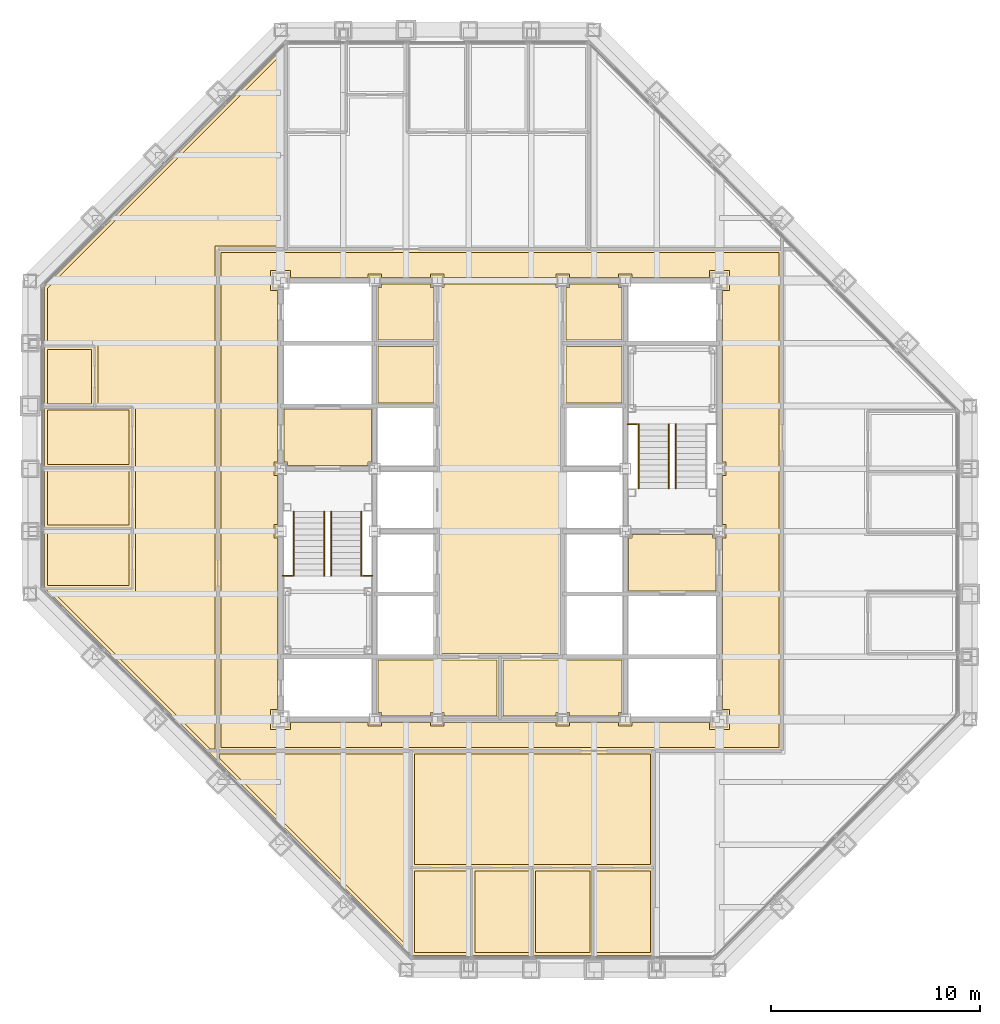
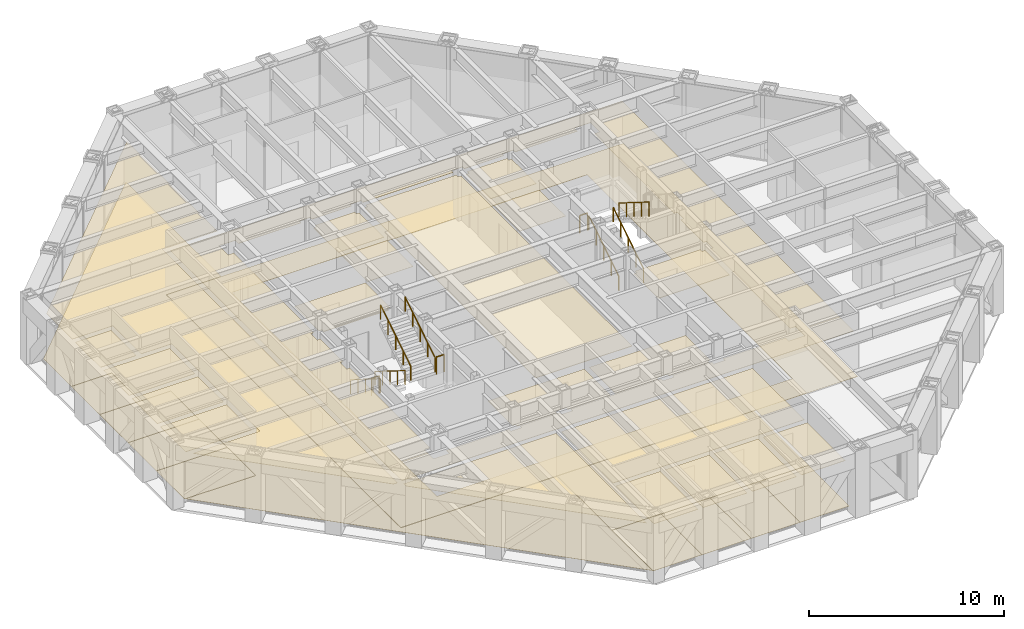
# One storey, part 15 of 16: 32 coverings, 10 railings.
"""IFC4 building model written with IfcOpenShell, lengths in metres."""

from ifc_helpers import new_model, si_unit, direction, frame, origin, origin_2d, place, context, subcontext, project, spatial, polyline, circle, outline, extrude, material, layer, layer_set, type_object, element, save


model = new_model("IFC4")

# Units and contexts
model_context = context("Model", 3, precision=1e-05, world=origin(), true_north=direction((0.0, 1.0)))
body_context = subcontext(model_context, "Body", "Model", "MODEL_VIEW")
ifc_project = project(units=[si_unit("LENGTHUNIT", "METRE"), si_unit("AREAUNIT", "SQUARE_METRE"), si_unit("VOLUMEUNIT", "CUBIC_METRE"), si_unit("PLANEANGLEUNIT", "RADIAN"), si_unit("MASSUNIT", "GRAM", prefix="KILO")], contexts=[model_context])

# Site, building, storey
site_placement = place(None, origin())
site = spatial("IfcSite", under=ifc_project, at=site_placement, CompositionType="ELEMENT")
building_placement = place(site_placement, origin())
building = spatial("IfcBuilding", under=site, at=building_placement, Name="Chuquiago Exchange Tower", CompositionType="ELEMENT")
storey_placement = place(building_placement, frame((0.0, 0.0, 247.5)))
storey = spatial("IfcBuildingStorey", under=building, at=storey_placement, Name="L55", CompositionType="ELEMENT", Elevation=247.5)

# Coverings
ifc_material_1 = material(Name="Mineral fibre tile, 600 x 600, on pale metal grid", Category="mineral fibre")
ifc_layer_1 = layer(ifc_material_1, 0.02001953125)
ifc_layer_set_1 = layer_set([ifc_layer_1], Name="CL1 suspended tile ceiling 20")
covering_type_1 = type_object("IfcCoveringType", Name="CL1 suspended tile ceiling 20", PredefinedType="CEILING", material=ifc_layer_set_1)
covering_1_placement = place(storey_placement, frame((0.0, 0.0, 2.800048828125)))
element("IfcCovering", 1, at=covering_1_placement, inside=storey, type_object=covering_type_1, Name="Ceiling Reception", PredefinedType="CEILING", context=body_context, shape_type="SweptSolid", body=[
    extrude(outline(polyline([(18.3984375, 4.75), (20.9990234375, 4.75), (20.9990234375, 0.85009765625), (18.3984375, 0.85009765625), (18.3984375, 4.75)])), origin(), (0.0, 0.0, 1.0), 0.02001953125),
])
covering_2_placement = place(storey_placement, frame((0.0, 0.0, 2.800048828125)))
element("IfcCovering", 2, at=covering_2_placement, inside=storey, type_object=covering_type_1, Name="Ceiling Office", PredefinedType="CEILING", context=body_context, shape_type="SweptSolid", body=[
    extrude(outline(polyline([(21.299072265625, 4.75), (23.899658203125, 4.75), (23.899658203125, 0.85009765625), (21.299072265625, 0.85009765625), (21.299072265625, 4.75)])), origin(), (0.0, 0.0, 1.0), 0.02001953125),
])
covering_3_placement = place(storey_placement, frame((0.0, 0.0, 2.800048828125)))
element("IfcCovering", 3, at=covering_3_placement, inside=storey, type_object=covering_type_1, Name="Ceiling Office", PredefinedType="CEILING", context=body_context, shape_type="SweptSolid", body=[
    extrude(outline(polyline([(24.19970703125, 4.75), (26.80029296875, 4.75), (26.80029296875, 0.85009765625), (24.19970703125, 0.85009765625), (24.19970703125, 4.75)])), origin(), (0.0, 0.0, 1.0), 0.02001953125),
])
covering_4_placement = place(storey_placement, frame((0.0, 0.0, 2.800048828125)))
element("IfcCovering", 4, at=covering_4_placement, inside=storey, type_object=covering_type_1, Name="Ceiling Office", PredefinedType="CEILING", context=body_context, shape_type="SweptSolid", body=[
    extrude(outline(polyline([(27.100341796875, 4.75), (29.700927734375, 4.75), (29.700927734375, 0.85009765625), (27.100341796875, 0.85009765625), (27.100341796875, 4.75)])), origin(), (0.0, 0.0, 1.0), 0.02001953125),
])
covering_5_placement = place(storey_placement, frame((0.0, 0.0, 2.800048828125)))
element("IfcCovering", 5, at=covering_5_placement, inside=storey, type_object=covering_type_1, Name="Ceiling Office", PredefinedType="CEILING", context=body_context, shape_type="SweptSolid", body=[
    extrude(outline(polyline([(0.85009765625, 20.9990234375), (4.75, 20.9990234375), (4.75, 18.3984375), (0.85009765625, 18.3984375), (0.85009765625, 20.9990234375)])), origin(), (0.0, 0.0, 1.0), 0.02001953125),
])
covering_6_placement = place(storey_placement, frame((0.0, 0.0, 2.800048828125)))
element("IfcCovering", 6, at=covering_6_placement, inside=storey, type_object=covering_type_1, Name="Ceiling Office", PredefinedType="CEILING", context=body_context, shape_type="SweptSolid", body=[
    extrude(outline(polyline([(4.75, 23.899658203125), (4.75, 21.299072265625), (0.85009765625, 21.299072265625), (0.85009765625, 23.899658203125), (4.75, 23.899658203125)])), origin(), (0.0, 0.0, 1.0), 0.02001953125),
])
covering_7_placement = place(storey_placement, frame((0.0, 0.0, 2.800048828125)))
element("IfcCovering", 7, at=covering_7_placement, inside=storey, type_object=covering_type_1, Name="Ceiling Reception", PredefinedType="CEILING", context=body_context, shape_type="SweptSolid", body=[
    extrude(outline(polyline([(4.75, 26.80029296875), (4.75, 24.19970703125), (0.85009765625, 24.19970703125), (0.85009765625, 26.80029296875), (4.75, 26.80029296875)])), origin(), (0.0, 0.0, 1.0), 0.02001953125),
])
covering_8_placement = place(storey_placement, frame((0.0, 0.0, 2.800048828125)))
element("IfcCovering", 8, at=covering_8_placement, inside=storey, type_object=covering_type_1, Name="Ceiling Focus room", PredefinedType="CEILING", context=body_context, shape_type="SweptSolid", body=[
    extrude(outline(polyline([(2.949951171875, 29.700927734375), (2.949951171875, 27.100341796875), (0.85009765625, 27.100341796875), (0.85009765625, 29.700927734375), (2.949951171875, 29.700927734375)])), origin(), (0.0, 0.0, 1.0), 0.02001953125),
])
covering_9_placement = place(storey_placement, frame((0.0, 0.0, 2.800048828125)))
element("IfcCovering", 9, at=covering_9_placement, inside=storey, type_object=covering_type_1, Name="Ceiling Open office south suite", PredefinedType="CEILING", context=body_context, shape_type="SweptSolid", body=[
    extrude(outline(polyline([(18.39892578125, 5.050048828125), (18.39892578125, 10.349609375), (29.700439453125, 10.349609375), (29.700439453125, 5.050048828125), (18.39892578125, 5.050048828125)])), origin(), (0.0, 0.0, 1.0), 0.02001953125),
])
covering_10_placement = place(storey_placement, frame((0.0, 0.0, 2.800048828125)))
element("IfcCovering", 10, at=covering_10_placement, inside=storey, type_object=covering_type_1, Name="Ceiling Open office west suite", PredefinedType="CEILING", context=body_context, shape_type="SweptSolid", body=[
    extrude(outline(polyline([(5.050048828125, 18.098388671875), (5.050048828125, 27.100341796875), (3.25, 27.100341796875), (3.25, 30.0009765625), (0.85009765625, 30.0009765625), (0.85009765625, 32.64794921875), (12.097900390625, 43.89599609375), (12.097900390625, 34.650390625), (8.849609375, 34.64990234375), (8.849609375, 10.5849609375), (8.616943359375, 10.5849609375), (1.103515625, 18.098388671875), (5.050048828125, 18.098388671875)])), origin(), (0.0, 0.0, 1.0), 0.02001953125),
])
covering_11_placement = place(storey_placement, frame((0.0, 0.0, 2.800048828125)))
element("IfcCovering", 11, at=covering_11_placement, inside=storey, type_object=covering_type_1, Name="Ceiling Open office west suite", PredefinedType="CEILING", context=body_context, shape_type="SweptSolid", body=[
    extrude(outline(polyline([(18.097900390625, 10.349609375), (18.097900390625, 1.10400390625), (9.0849609375, 10.116943359375), (9.0849609375, 10.35009765625), (18.097900390625, 10.349609375)])), origin(), (0.0, 0.0, 1.0), 0.02001953125),
])
covering_12_placement = place(storey_placement, frame((0.0, 0.0, 2.800048828125)))
element("IfcCovering", 12, at=covering_12_placement, inside=storey, type_object=covering_type_1, Name="Ceiling Tenant corridor", PredefinedType="CEILING", context=body_context, shape_type="SweptSolid", body=[
    extrude(outline(polyline([(9.14990234375, 34.35009765625), (35.85009765625, 34.35009765625), (35.85009765625, 10.64990234375), (9.14990234375, 10.64990234375), (9.14990234375, 34.35009765625)]), holes=[polyline([(11.85009765625, 24.324951171875), (11.675048828125, 24.324951171875), (11.675048828125, 23.675048828125), (11.85009765625, 23.675048828125), (11.85009765625, 21.324951171875), (11.675048828125, 21.324951171875), (11.675048828125, 20.675048828125), (11.85009765625, 20.675048828125), (11.85009765625, 12.47509765625), (11.52490234375, 12.47509765625), (11.52490234375, 11.52490234375), (12.47509765625, 11.52490234375), (12.47509765625, 11.85009765625), (16.175048828125, 11.85009765625), (16.175048828125, 11.675048828125), (16.824951171875, 11.675048828125), (16.824951171875, 11.85009765625), (19.175048828125, 11.85009765625), (19.175048828125, 11.675048828125), (19.824951171875, 11.675048828125), (19.824951171875, 11.85009765625), (25.175048828125, 11.85009765625), (25.175048828125, 11.675048828125), (25.824951171875, 11.675048828125), (25.824951171875, 11.85009765625), (28.175048828125, 11.85009765625), (28.175048828125, 11.675048828125), (28.824951171875, 11.675048828125), (28.824951171875, 11.85009765625), (32.52490234375, 11.85009765625), (32.52490234375, 11.52490234375), (33.47509765625, 11.52490234375), (33.47509765625, 12.47509765625), (33.14990234375, 12.47509765625), (33.14990234375, 20.675048828125), (33.324951171875, 20.675048828125), (33.324951171875, 21.324951171875), (33.14990234375, 21.324951171875), (33.14990234375, 23.675048828125), (33.324951171875, 23.675048828125), (33.324951171875, 24.324951171875), (33.14990234375, 24.324951171875), (33.14990234375, 32.52490234375), (33.47509765625, 32.52490234375), (33.47509765625, 33.47509765625), (32.52490234375, 33.47509765625), (32.52490234375, 33.14990234375), (28.824951171875, 33.14990234375), (28.824951171875, 33.324951171875), (28.175048828125, 33.324951171875), (28.175048828125, 33.14990234375), (25.824951171875, 33.14990234375), (25.824951171875, 33.324951171875), (25.175048828125, 33.324951171875), (25.175048828125, 33.14990234375), (19.824951171875, 33.14990234375), (19.824951171875, 33.324951171875), (19.175048828125, 33.324951171875), (19.175048828125, 33.14990234375), (16.824951171875, 33.14990234375), (16.824951171875, 33.324951171875), (16.175048828125, 33.324951171875), (16.175048828125, 33.14990234375), (12.47509765625, 33.14990234375), (12.47509765625, 33.47509765625), (11.52490234375, 33.47509765625), (11.52490234375, 32.52490234375), (11.85009765625, 32.52490234375), (11.85009765625, 24.324951171875)])]), origin(), (0.0, 0.0, 1.0), 0.02001953125),
])
covering_13_placement = place(storey_placement, frame((0.0, 0.0, 2.800048828125)))
element("IfcCovering", 13, at=covering_13_placement, inside=storey, type_object=covering_type_1, Name="Ceiling Baby change room", PredefinedType="CEILING", context=body_context, shape_type="SweptSolid", body=[
    extrude(outline(polyline([(25.64990234375, 30.14990234375), (25.64990234375, 32.675048828125), (25.824951171875, 32.675048828125), (25.824951171875, 32.85009765625), (28.175048828125, 32.85009765625), (28.175048828125, 32.675048828125), (28.35009765625, 32.675048828125), (28.35009765625, 30.14990234375), (25.64990234375, 30.14990234375)])), origin(), (0.0, 0.0, 1.0), 0.02001953125),
])
ifc_material_2 = material(Name="Moisture resistant plasterboard on metal frame", Category="gypsum")
ifc_layer_2 = layer(ifc_material_2, 0.014892578125)
ifc_layer_set_2 = layer_set([ifc_layer_2], Name="CL2 moisture resistant ceiling 15")
covering_type_2 = type_object("IfcCoveringType", Name="CL2 moisture resistant ceiling 15", PredefinedType="CEILING", material=ifc_layer_set_2)
covering_14_placement = place(storey_placement, frame((0.0, 0.0, 2.60009765625)))
element("IfcCovering", 14, at=covering_14_placement, inside=storey, type_object=covering_type_2, Name="Ceiling Male WC", PredefinedType="CEILING", context=body_context, shape_type="SweptSolid", body=[
    extrude(outline(polyline([(16.64990234375, 27.14990234375), (16.64990234375, 29.85009765625), (19.35009765625, 29.85009765625), (19.35009765625, 27.14990234375), (16.64990234375, 27.14990234375)])), origin(), (0.0, 0.0, 1.0), 0.014892578125),
])
covering_15_placement = place(storey_placement, frame((0.0, 0.0, 2.60009765625)))
element("IfcCovering", 15, at=covering_15_placement, inside=storey, type_object=covering_type_2, Name="Ceiling Staff shower room", PredefinedType="CEILING", context=body_context, shape_type="SweptSolid", body=[
    extrude(outline(polyline([(16.64990234375, 30.14990234375), (16.64990234375, 32.675048828125), (16.824951171875, 32.675048828125), (16.824951171875, 32.85009765625), (19.175048828125, 32.85009765625), (19.175048828125, 32.675048828125), (19.35009765625, 32.675048828125), (19.35009765625, 30.14990234375), (16.64990234375, 30.14990234375)])), origin(), (0.0, 0.0, 1.0), 0.014892578125),
])
covering_16_placement = place(storey_placement, frame((0.0, 0.0, 2.60009765625)))
element("IfcCovering", 16, at=covering_16_placement, inside=storey, type_object=covering_type_2, Name="Ceiling Female WC", PredefinedType="CEILING", context=body_context, shape_type="SweptSolid", body=[
    extrude(outline(polyline([(25.64990234375, 27.14990234375), (25.64990234375, 29.85009765625), (28.35009765625, 29.85009765625), (28.35009765625, 27.14990234375), (25.64990234375, 27.14990234375)])), origin(), (0.0, 0.0, 1.0), 0.014892578125),
])
covering_17_placement = place(storey_placement, frame((0.0, 0.0, 2.60009765625)))
element("IfcCovering", 17, at=covering_17_placement, inside=storey, type_object=covering_type_2, Name="Ceiling Accessible WC", PredefinedType="CEILING", context=body_context, shape_type="SweptSolid", body=[
    extrude(outline(polyline([(25.824951171875, 12.14990234375), (25.824951171875, 12.324951171875), (25.175048828125, 12.324951171875), (25.175048828125, 12.14990234375), (22.64990234375, 12.14990234375), (22.64990234375, 14.85009765625), (28.35009765625, 14.85009765625), (28.35009765625, 12.324951171875), (28.175048828125, 12.324951171875), (28.175048828125, 12.14990234375), (25.824951171875, 12.14990234375)])), origin(), (0.0, 0.0, 1.0), 0.014892578125),
])
covering_18_placement = place(storey_placement, frame((0.0, 0.0, 2.60009765625)))
element("IfcCovering", 18, at=covering_18_placement, inside=storey, type_object=covering_type_2, Name="Ceiling Cleaner", PredefinedType="CEILING", context=body_context, shape_type="SweptSolid", body=[
    extrude(outline(polyline([(19.824951171875, 12.14990234375), (19.824951171875, 12.324951171875), (19.175048828125, 12.324951171875), (19.175048828125, 12.14990234375), (16.824951171875, 12.14990234375), (16.824951171875, 12.324951171875), (16.64990234375, 12.324951171875), (16.64990234375, 14.85009765625), (22.35009765625, 14.85009765625), (22.35009765625, 12.14990234375), (19.824951171875, 12.14990234375)])), origin(), (0.0, 0.0, 1.0), 0.014892578125),
])
ifc_material_3 = material(Name="Pale metal plank ceiling, perforated", Category="aluminium")
ifc_layer_3 = layer(ifc_material_3, 0.030029296875)
ifc_layer_set_3 = layer_set([ifc_layer_3], Name="CL3 metal plank ceiling 30")
covering_type_3 = type_object("IfcCoveringType", Name="CL3 metal plank ceiling 30", PredefinedType="CEILING", material=ifc_layer_set_3)
covering_19_placement = place(storey_placement, frame((0.0, 0.0, 2.800048828125)))
element("IfcCovering", 19, at=covering_19_placement, inside=storey, type_object=covering_type_3, Name="Ceiling Lift lobby", PredefinedType="CEILING", context=body_context, shape_type="SweptSolid", body=[
    extrude(outline(polyline([(19.64990234375, 15.14990234375), (19.64990234375, 32.675048828125), (19.824951171875, 32.675048828125), (19.824951171875, 32.85009765625), (25.175048828125, 32.85009765625), (25.175048828125, 32.675048828125), (25.35009765625, 32.675048828125), (25.35009765625, 15.14990234375), (19.64990234375, 15.14990234375)])), origin(), (0.0, 0.0, 1.0), 0.030029296875),
])
covering_20_placement = place(storey_placement, frame((0.0, 0.0, 2.800048828125)))
element("IfcCovering", 20, at=covering_20_placement, inside=storey, type_object=covering_type_3, Name="Ceiling Firefighting lobby", PredefinedType="CEILING", context=body_context, shape_type="SweptSolid", body=[
    extrude(outline(polyline([(12.324951171875, 24.14990234375), (12.324951171875, 24.324951171875), (12.14990234375, 24.324951171875), (12.14990234375, 26.85009765625), (16.35009765625, 26.85009765625), (16.35009765625, 24.324951171875), (16.175048828125, 24.324951171875), (16.175048828125, 24.14990234375), (12.324951171875, 24.14990234375)])), origin(), (0.0, 0.0, 1.0), 0.030029296875),
])
covering_21_placement = place(storey_placement, frame((0.0, 0.0, 2.800048828125)))
element("IfcCovering", 21, at=covering_21_placement, inside=storey, type_object=covering_type_3, Name="Ceiling Firefighting lobby", PredefinedType="CEILING", context=body_context, shape_type="SweptSolid", body=[
    extrude(outline(polyline([(28.64990234375, 18.14990234375), (28.64990234375, 20.675048828125), (28.824951171875, 20.675048828125), (28.824951171875, 20.85009765625), (32.675048828125, 20.85009765625), (32.675048828125, 20.675048828125), (32.85009765625, 20.675048828125), (32.85009765625, 18.14990234375), (28.64990234375, 18.14990234375)])), origin(), (0.0, 0.0, 1.0), 0.030029296875),
])
ifc_material_4 = material(Name="Carpet tile, 500 x 500, on the floor slab", Category="textile")
ifc_layer_4 = layer(ifc_material_4, 0.010009765625)
ifc_layer_set_4 = layer_set([ifc_layer_4], Name="FL1 carpet tile 10")
covering_type_4 = type_object("IfcCoveringType", Name="FL1 carpet tile 10", PredefinedType="FLOORING", material=ifc_layer_set_4)
covering_22_placement = place(storey_placement, origin())
element("IfcCovering", 22, at=covering_22_placement, inside=storey, type_object=covering_type_4, Name="Floor finish Office", PredefinedType="FLOORING", context=body_context, shape_type="SweptSolid", body=[
    extrude(outline(polyline([(21.149169921875, 0.699951171875), (21.149169921875, 4.89990234375), (24.0498046875, 4.89990234375), (24.0498046875, 0.699951171875), (21.149169921875, 0.699951171875)])), origin(), (0.0, 0.0, 1.0), 0.010009765625),
])
covering_23_placement = place(storey_placement, origin())
element("IfcCovering", 23, at=covering_23_placement, inside=storey, type_object=covering_type_4, Name="Floor finish Office", PredefinedType="FLOORING", context=body_context, shape_type="SweptSolid", body=[
    extrude(outline(polyline([(24.0498046875, 0.699951171875), (24.0498046875, 4.89990234375), (26.9501953125, 4.89990234375), (26.9501953125, 0.699951171875), (24.0498046875, 0.699951171875)])), origin(), (0.0, 0.0, 1.0), 0.010009765625),
])
covering_24_placement = place(storey_placement, origin())
element("IfcCovering", 24, at=covering_24_placement, inside=storey, type_object=covering_type_4, Name="Floor finish Office", PredefinedType="FLOORING", context=body_context, shape_type="SweptSolid", body=[
    extrude(outline(polyline([(26.9501953125, 0.699951171875), (26.9501953125, 4.89990234375), (29.850830078125, 4.89990234375), (29.850830078125, 0.699951171875), (26.9501953125, 0.699951171875)])), origin(), (0.0, 0.0, 1.0), 0.010009765625),
])
covering_25_placement = place(storey_placement, origin())
element("IfcCovering", 25, at=covering_25_placement, inside=storey, type_object=covering_type_4, Name="Floor finish Office", PredefinedType="FLOORING", context=body_context, shape_type="SweptSolid", body=[
    extrude(outline(polyline([(0.699951171875, 21.149169921875), (4.89990234375, 21.149169921875), (4.89990234375, 18.24853515625), (0.741455078125, 18.24853515625), (0.699951171875, 18.289794921875), (0.699951171875, 21.149169921875)])), origin(), (0.0, 0.0, 1.0), 0.010009765625),
])
covering_26_placement = place(storey_placement, origin())
element("IfcCovering", 26, at=covering_26_placement, inside=storey, type_object=covering_type_4, Name="Floor finish Office", PredefinedType="FLOORING", context=body_context, shape_type="SweptSolid", body=[
    extrude(outline(polyline([(0.699951171875, 24.0498046875), (4.89990234375, 24.0498046875), (4.89990234375, 21.149169921875), (0.699951171875, 21.149169921875), (0.699951171875, 24.0498046875)])), origin(), (0.0, 0.0, 1.0), 0.010009765625),
])
covering_27_placement = place(storey_placement, origin())
element("IfcCovering", 27, at=covering_27_placement, inside=storey, type_object=covering_type_4, Name="Floor finish Focus room", PredefinedType="FLOORING", context=body_context, shape_type="SweptSolid", body=[
    extrude(outline(polyline([(0.699951171875, 29.850830078125), (3.10009765625, 29.850830078125), (3.10009765625, 26.9501953125), (0.699951171875, 26.9501953125), (0.699951171875, 29.850830078125)])), origin(), (0.0, 0.0, 1.0), 0.010009765625),
])
covering_28_placement = place(storey_placement, origin())
element("IfcCovering", 28, at=covering_28_placement, inside=storey, type_object=covering_type_4, Name="Floor finish Open office south suite", PredefinedType="FLOORING", context=body_context, shape_type="SweptSolid", body=[
    extrude(outline(polyline([(29.850341796875, 4.89990234375), (18.2490234375, 4.89990234375), (18.2490234375, 10.49951171875), (29.850341796875, 10.49951171875), (29.850341796875, 4.89990234375)])), origin(), (0.0, 0.0, 1.0), 0.010009765625),
])
covering_29_placement = place(storey_placement, origin())
element("IfcCovering", 29, at=covering_29_placement, inside=storey, type_object=covering_type_4, Name="Floor finish Open office west suite", PredefinedType="FLOORING", context=body_context, shape_type="SweptSolid", body=[
    extrude(outline(polyline([(0.741455078125, 18.24853515625), (4.89990234375, 18.24853515625), (4.89990234375, 26.9501953125), (3.10009765625, 26.9501953125), (3.10009765625, 29.850830078125), (0.699951171875, 29.850830078125), (0.699951171875, 32.710205078125), (12.248046875, 44.258056640625), (12.248046875, 34.50048828125), (8.99951171875, 34.5), (8.99951171875, 10.5), (18.248046875, 10.49951171875), (18.248046875, 0.741943359375), (0.741455078125, 18.24853515625)])), origin(), (0.0, 0.0, 1.0), 0.010009765625),
])
ifc_material_5 = material(Name="Porcelain floor tile, 600 x 600, on adhesive bed", Category="ceramic")
ifc_layer_5 = layer(ifc_material_5, 0.014892578125)
ifc_layer_set_5 = layer_set([ifc_layer_5], Name="FL2 porcelain tile 15")
covering_type_5 = type_object("IfcCoveringType", Name="FL2 porcelain tile 15", PredefinedType="FLOORING", material=ifc_layer_set_5)
covering_30_placement = place(storey_placement, origin())
element("IfcCovering", 30, at=covering_30_placement, inside=storey, type_object=covering_type_5, Name="Floor finish Reception", PredefinedType="FLOORING", context=body_context, shape_type="SweptSolid", body=[
    extrude(outline(polyline([(18.289794921875, 0.699951171875), (18.24853515625, 0.741455078125), (18.24853515625, 4.89990234375), (21.149169921875, 4.89990234375), (21.149169921875, 0.699951171875), (18.289794921875, 0.699951171875)])), origin(), (0.0, 0.0, 1.0), 0.014892578125),
])
covering_31_placement = place(storey_placement, origin())
element("IfcCovering", 31, at=covering_31_placement, inside=storey, type_object=covering_type_5, Name="Floor finish Reception", PredefinedType="FLOORING", context=body_context, shape_type="SweptSolid", body=[
    extrude(outline(polyline([(0.699951171875, 26.9501953125), (4.89990234375, 26.9501953125), (4.89990234375, 24.0498046875), (0.699951171875, 24.0498046875), (0.699951171875, 26.9501953125)])), origin(), (0.0, 0.0, 1.0), 0.014892578125),
])
covering_32_placement = place(storey_placement, origin())
element("IfcCovering", 32, at=covering_32_placement, inside=storey, type_object=covering_type_5, Name="Floor finish Tenant corridor", PredefinedType="FLOORING", context=body_context, shape_type="SweptSolid", body=[
    extrude(outline(polyline([(9.0, 10.5), (9.0, 34.5), (36.0, 34.5), (36.0, 10.5), (9.0, 10.5)]), holes=[polyline([(12.0, 33.0), (12.0, 12.0), (33.0, 12.0), (33.0, 33.0), (12.0, 33.0)])]), origin(), (0.0, 0.0, 1.0), 0.014892578125),
])

# Railings
ifc_material_6 = material(Name="Pale metal guard with safety glass infill", Category="glass")
railing_type_1 = type_object("IfcRailingType", Name="GR1 guard 1100", PredefinedType="GUARDRAIL", material=ifc_material_6)
for number, where, name in (
    (33, (12.10009765625, 18.8701171875, 2.10009765625), "Guard ST1 L55 landing 2"),
    (34, (15.945068359375, 18.8701171875, 2.10009765625), "Guard ST1 L55 landing 2"),
    (35, (28.60009765625, 26.1298828125, 2.10009765625), "Guard ST2 L55 landing 2"),
):
    element("IfcRailing", number, at=place(storey_placement, frame(where)), inside=storey, type_object=railing_type_1, Name=name, PredefinedType="GUARDRAIL", context=body_context, shape_type="SweptSolid", body=[
        extrude(circle(Radius=0.02392578125, at=origin_2d()), frame((0.0, 0.0, 1.076171875), z_axis=(1.0, 0.0, 0.0), x_axis=(0.0, 1.0, 0.0)), (0.0, 0.0, 1.0), 0.454833984375),
        extrude(circle(Radius=0.02099609375, at=origin_2d()), origin(), (0.0, 0.0, 1.0), 1.052001953125),
        extrude(circle(Radius=0.02099609375, at=origin_2d()), frame((0.454833984375, 0.0, 0.0)), (0.0, 0.0, 1.0), 1.052001953125),
    ])
ifc_material_7 = material(Name="Pale metal handrail", Category="steel")
railing_type_2 = type_object("IfcRailingType", Name="HR1 handrail 900", PredefinedType="HANDRAIL", material=ifc_material_7)
for number, where, name in (
    (36, (12.635009765625, 21.949951171875, 0.175048828125), "Handrail ST1 L55 flight 1"),
    (37, (14.0849609375, 21.949951171875, 0.175048828125), "Handrail ST1 L55 flight 1"),
):
    element("IfcRailing", number, at=place(storey_placement, frame(where)), inside=storey, type_object=railing_type_2, Name=name, PredefinedType="HANDRAIL", context=body_context, shape_type="SweptSolid", body=[
        extrude(circle(Radius=0.02392578125, at=origin_2d()), frame((0.0, 0.0, 0.8759765625), z_axis=(0.0, -0.847979421464, 0.530029150871), x_axis=(1.0, 0.0, 0.0)), (0.0, 0.0, 1.0), 3.632080078125),
        extrude(circle(Radius=0.02099609375, at=origin_2d()), origin(), (0.0, 0.0, 1.0), 0.851806640625),
        extrude(circle(Radius=0.02099609375, at=origin_2d()), frame((0.0, -0.77001953125, 0.481201171875)), (0.0, 0.0, 1.0), 0.851806640625),
        extrude(circle(Radius=0.02099609375, at=origin_2d()), frame((0.0, -1.5400390625, 0.96240234375)), (0.0, 0.0, 1.0), 0.851806640625),
        extrude(circle(Radius=0.02099609375, at=origin_2d()), frame((0.0, -2.309814453125, 1.44384765625)), (0.0, 0.0, 1.0), 0.851806640625),
        extrude(circle(Radius=0.02099609375, at=origin_2d()), frame((0.0, -3.079833984375, 1.925048828125)), (0.0, 0.0, 1.0), 0.851806640625),
    ])
for number, where, name in (
    (38, (15.864990234375, 18.8701171875, 2.27490234375), "Handrail ST1 L55 flight 2"),
    (39, (14.4150390625, 18.8701171875, 2.27490234375), "Handrail ST1 L55 flight 2"),
    (40, (30.5849609375, 23.050048828125, 0.175048828125), "Handrail ST2 L55 flight 1"),
    (41, (29.135009765625, 23.050048828125, 0.175048828125), "Handrail ST2 L55 flight 1"),
):
    element("IfcRailing", number, at=place(storey_placement, frame(where)), inside=storey, type_object=railing_type_2, Name=name, PredefinedType="HANDRAIL", context=body_context, shape_type="SweptSolid", body=[
        extrude(circle(Radius=0.02392578125, at=origin_2d()), frame((0.0, 0.0, 0.8759765625), z_axis=(0.0, 0.847979421464, 0.530029150871), x_axis=(-1.0, 0.0, 0.0)), (0.0, 0.0, 1.0), 3.632080078125),
        extrude(circle(Radius=0.02099609375, at=origin_2d()), origin(), (0.0, 0.0, 1.0), 0.851806640625),
        extrude(circle(Radius=0.02099609375, at=origin_2d()), frame((0.0, 0.77001953125, 0.481201171875)), (0.0, 0.0, 1.0), 0.851806640625),
        extrude(circle(Radius=0.02099609375, at=origin_2d()), frame((0.0, 1.5400390625, 0.96240234375)), (0.0, 0.0, 1.0), 0.851806640625),
        extrude(circle(Radius=0.02099609375, at=origin_2d()), frame((0.0, 2.309814453125, 1.44384765625)), (0.0, 0.0, 1.0), 0.851806640625),
        extrude(circle(Radius=0.02099609375, at=origin_2d()), frame((0.0, 3.079833984375, 1.925048828125)), (0.0, 0.0, 1.0), 0.851806640625),
    ])
railing_placement = place(storey_placement, frame((30.9150390625, 26.1298828125, 2.27490234375)))
element("IfcRailing", 42, at=railing_placement, inside=storey, type_object=railing_type_2, Name="Handrail ST2 L55 flight 2", PredefinedType="HANDRAIL", context=body_context, shape_type="SweptSolid", body=[
    extrude(circle(Radius=0.02392578125, at=origin_2d()), frame((0.0, 0.0, 0.8759765625), z_axis=(0.0, -0.847979421464, 0.530029150871), x_axis=(1.0, 0.0, 0.0)), (0.0, 0.0, 1.0), 3.632080078125),
    extrude(circle(Radius=0.02099609375, at=origin_2d()), origin(), (0.0, 0.0, 1.0), 0.851806640625),
    extrude(circle(Radius=0.02099609375, at=origin_2d()), frame((0.0, -0.77001953125, 0.481201171875)), (0.0, 0.0, 1.0), 0.851806640625),
    extrude(circle(Radius=0.02099609375, at=origin_2d()), frame((0.0, -1.5400390625, 0.96240234375)), (0.0, 0.0, 1.0), 0.851806640625),
    extrude(circle(Radius=0.02099609375, at=origin_2d()), frame((0.0, -2.309814453125, 1.44384765625)), (0.0, 0.0, 1.0), 0.851806640625),
    extrude(circle(Radius=0.02099609375, at=origin_2d()), frame((0.0, -3.079833984375, 1.925048828125)), (0.0, 0.0, 1.0), 0.851806640625),
])

save(model, "model.ifc")
